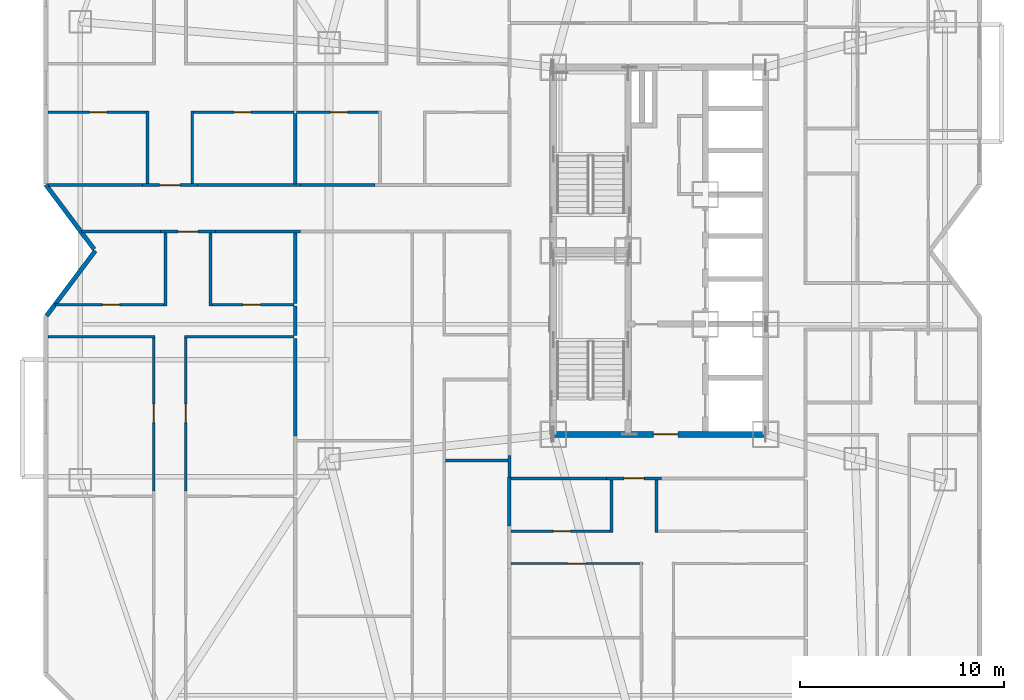
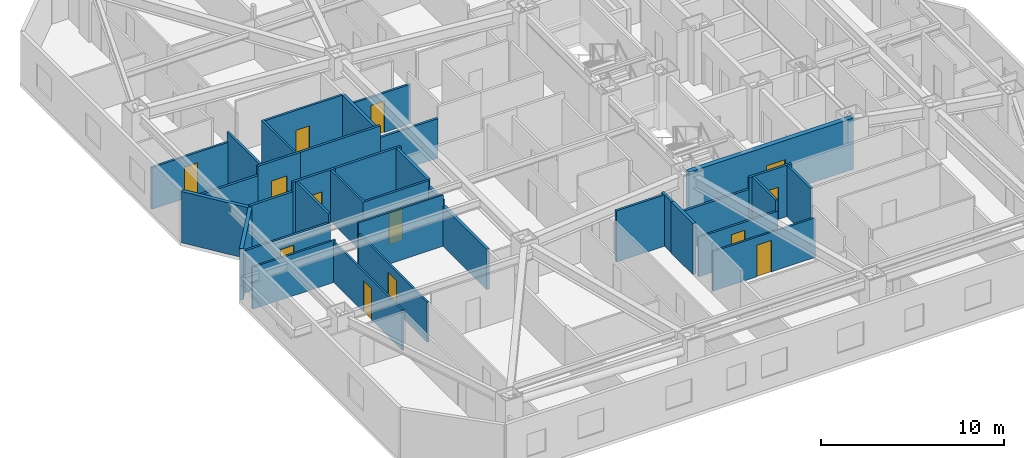
# One storey, part 7 of 13: 36 walls, 13 doors, 13 openings.
"""IFC4 building model written with IfcOpenShell, lengths in metres."""

from ifc_helpers import new_model, si_unit, direction, frame, frame_2d, origin, place, context, subcontext, project, spatial, rectangle, extrude, material, layer, layer_set, type_object, element, fill, save


model = new_model("IFC4")

# Units and contexts
model_context = context("Model", 3, precision=1e-05, world=origin(), true_north=direction((0.0, 1.0)))
body_context = subcontext(model_context, "Body", "Model", "MODEL_VIEW")
ifc_project = project(units=[si_unit("LENGTHUNIT", "METRE"), si_unit("AREAUNIT", "SQUARE_METRE"), si_unit("VOLUMEUNIT", "CUBIC_METRE"), si_unit("PLANEANGLEUNIT", "RADIAN"), si_unit("MASSUNIT", "GRAM", prefix="KILO")], contexts=[model_context])

# Site, building, storey
site_placement = place(None, origin())
site = spatial("IfcSite", under=ifc_project, at=site_placement, CompositionType="ELEMENT")
building_placement = place(site_placement, origin())
building = spatial("IfcBuilding", under=site, at=building_placement, Name="Khamvora Tower", CompositionType="ELEMENT")
storey_placement = place(building_placement, frame((0.0, 0.0, 62.5)))
storey = spatial("IfcBuildingStorey", under=building, at=storey_placement, Name="L15", CompositionType="ELEMENT", Elevation=62.5)

# Wall, opening, door
ifc_material_1 = material(Name="Concrete C50/60", Category="concrete")
ifc_layer_1 = layer(ifc_material_1, 0.300048828125)
ifc_layer_set_1 = layer_set([ifc_layer_1], Name="Concrete C50/60")
wall_type_1 = type_object("IfcWallType", Name="WAL-CORE-300", PredefinedType="SHEAR", material=ifc_layer_set_1)
wall_1_placement = place(storey_placement, frame((29.0, 19.0, 0.0), z_axis=(0.0, 0.0, 1.0), x_axis=(1.0, 0.0, 0.0)))
wall_1 = element("IfcWall", 1, at=wall_1_placement, inside=storey, type_object=wall_type_1, Name="L15 central core south wall", PredefinedType="SHEAR", context=body_context, shape_type="SweptSolid", body=[
    extrude(rectangle(XDim=10.39990234375, YDim=0.300048828125, at=frame_2d((5.199951171875, 0.0))), origin(), (0.0, 0.0, 1.0), 3.429931640625),
])
opening_1_placement = place(wall_1_placement, frame((4.89990234375, 0.0, 0.0)))
opening_1 = element("IfcOpeningElement", 2, at=opening_1_placement, cuts=wall_1, Name="Opening D-CR1", PredefinedType="OPENING", context=body_context, shape_type="SweptSolid", body=[
    extrude(rectangle(XDim=1.199951171875, YDim=2.14990234375, at=frame_2d((0.60009765625, 1.074951171875))), frame((0.0, 0.159912109375, 0.0), z_axis=(0.0, -1.0, 0.0), x_axis=(1.0, 0.0, 0.0)), (0.0, 0.0, 1.0), 0.320068359375),
])
ifc_material_2 = material(Name="Powder-Coated Steel and Hardwood Leaf", Category="steel")
door_type_1 = type_object("IfcDoorType", Name="DOR-CORR-1200", OperationType="NOTDEFINED", PredefinedType="DOOR", material=ifc_material_2)
door_1_placement = place(opening_1_placement, origin())
door_1 = element("IfcDoor", 3, at=door_1_placement, inside=storey, type_object=door_type_1, Name="L15 south core lobby to corridor fire door", OperationType="SINGLE_SWING_LEFT", OverallHeight=2.14990234375, OverallWidth=1.199951171875, PredefinedType="DOOR", context=body_context, shape_type="SweptSolid", body=[
    extrude(rectangle(XDim=1.199951171875, YDim=2.14990234375, at=frame_2d((0.60009765625, 1.074951171875))), frame((0.0, 0.02490234375, 0.0), z_axis=(0.0, -1.0, 0.0), x_axis=(1.0, 0.0, 0.0)), (0.0, 0.0, 1.0), 0.050048828125),
])
fill(opening_1, door_1)

ifc_material_3 = material(Name="Fire-Rated Drywall and Steel Stud", Category="steel")
ifc_layer_2 = layer(ifc_material_3, 0.14990234375)
ifc_layer_set_2 = layer_set([ifc_layer_2], Name="Fire-Rated Drywall and Steel Stud")
wall_type_2 = type_object("IfcWallType", Name="WAL-CORR-150", PredefinedType="STANDARD", material=ifc_layer_set_2)
wall_2_placement = place(storey_placement, frame((12.431884765625, 28.93505859375, 0.0), z_axis=(0.0, 0.0, 1.0), x_axis=(-1.0, 0.0, 0.0)))
wall_2 = element("IfcWall", 4, at=wall_2_placement, inside=storey, type_object=wall_type_2, Name="L15 interior partition wall 005", PredefinedType="STANDARD", context=body_context, shape_type="SweptSolid", body=[
    extrude(rectangle(XDim=2.697998046875, YDim=0.14990234375, at=frame_2d((1.34912109375, 0.0))), origin(), (0.0, 0.0, 1.0), 3.429931640625),
])
opening_2_placement = place(wall_2_placement, frame((0.84912109375, 0.0, 0.0)))
opening_2 = element("IfcOpeningElement", 5, at=opening_2_placement, cuts=wall_2, Name="Opening D-U1", PredefinedType="OPENING", context=body_context, shape_type="SweptSolid", body=[
    extrude(rectangle(XDim=1.0, YDim=2.14990234375, at=frame_2d((0.5, 1.074951171875))), frame((0.0, 0.0849609375, 0.0), z_axis=(0.0, -1.0, 0.0), x_axis=(1.0, 0.0, 0.0)), (0.0, 0.0, 1.0), 0.169921875),
])
door_type_2 = type_object("IfcDoorType", Name="DOR-UNIT-1000", OperationType="NOTDEFINED", PredefinedType="DOOR", material=ifc_material_2)
door_2_placement = place(opening_2_placement, origin())
door_2 = element("IfcDoor", 6, at=door_2_placement, inside=storey, type_object=door_type_2, Name="L15 interior door COR-15WA1H", OperationType="SINGLE_SWING_LEFT", OverallHeight=2.14990234375, OverallWidth=1.0, PredefinedType="DOOR", context=body_context, shape_type="SweptSolid", body=[
    extrude(rectangle(XDim=1.0, YDim=2.14990234375, at=frame_2d((0.5, 1.074951171875))), frame((0.0, 0.02490234375, 0.0), z_axis=(0.0, -1.0, 0.0), x_axis=(1.0, 0.0, 0.0)), (0.0, 0.0, 1.0), 0.050048828125),
])
fill(opening_2, door_2)

# Walls
wall_3_placement = place(storey_placement, frame((16.595947265625, 28.93505859375, 0.0), z_axis=(0.0, 0.0, 1.0), x_axis=(-1.0, 0.0, 0.0)))
element("IfcWall", 7, at=wall_3_placement, inside=storey, type_object=wall_type_2, Name="L15 interior partition wall 006", PredefinedType="STANDARD", context=body_context, shape_type="SweptSolid", body=[
    extrude(rectangle(XDim=4.1640625, YDim=0.14990234375, at=frame_2d((2.08203125, 0.0))), origin(), (0.0, 0.0, 1.0), 3.429931640625),
])
wall_4_placement = place(storey_placement, frame((9.73388671875, 28.93505859375, 0.0), z_axis=(0.0, 0.0, 1.0), x_axis=(-1.0, 0.0, 0.0)))
element("IfcWall", 8, at=wall_4_placement, inside=storey, type_object=wall_type_2, Name="L15 interior partition wall 007", PredefinedType="STANDARD", context=body_context, shape_type="SweptSolid", body=[
    extrude(rectangle(XDim=3.884765625, YDim=0.14990234375, at=frame_2d((1.9423828125, 0.0))), origin(), (0.0, 0.0, 1.0), 2.802978515625),
])
wall_5_placement = place(storey_placement, frame((26.8349609375, 16.89990234375, 0.0), z_axis=(0.0, 0.0, 1.0), x_axis=(0.0, 1.0, 0.0)))
element("IfcWall", 9, at=wall_5_placement, inside=storey, type_object=wall_type_2, Name="L15 interior partition wall 008", PredefinedType="STANDARD", context=body_context, shape_type="SweptSolid", body=[
    extrude(rectangle(XDim=1.068115234375, YDim=0.14990234375, at=frame_2d((0.5341796875, 0.0))), origin(), (0.0, 0.0, 1.0), 3.429931640625),
])

# Wall, opening, door
wall_6_placement = place(storey_placement, frame((8.846923828125, 31.215087890625, 0.0), z_axis=(0.0, 0.0, 1.0), x_axis=(1.0, 0.0, 0.0)))
wall_6 = element("IfcWall", 10, at=wall_6_placement, inside=storey, type_object=wall_type_2, Name="L15 interior partition wall 015", PredefinedType="STANDARD", context=body_context, shape_type="SweptSolid", body=[
    extrude(rectangle(XDim=2.697998046875, YDim=0.14990234375, at=frame_2d((1.34912109375, 0.0))), origin(), (0.0, 0.0, 1.0), 3.429931640625),
])
opening_3_placement = place(wall_6_placement, frame((0.84912109375, 0.0, 0.0)))
opening_3 = element("IfcOpeningElement", 11, at=opening_3_placement, cuts=wall_6, Name="Opening D-U1", PredefinedType="OPENING", context=body_context, shape_type="SweptSolid", body=[
    extrude(rectangle(XDim=1.0, YDim=2.14990234375, at=frame_2d((0.5, 1.074951171875))), frame((0.0, 0.0849609375, 0.0), z_axis=(0.0, -1.0, 0.0), x_axis=(1.0, 0.0, 0.0)), (0.0, 0.0, 1.0), 0.169921875),
])
door_3_placement = place(opening_3_placement, origin())
door_3 = element("IfcDoor", 12, at=door_3_placement, inside=storey, type_object=door_type_2, Name="L15 interior door COR-15WB1H", OperationType="SINGLE_SWING_LEFT", OverallHeight=2.14990234375, OverallWidth=1.0, PredefinedType="DOOR", context=body_context, shape_type="SweptSolid", body=[
    extrude(rectangle(XDim=1.0, YDim=2.14990234375, at=frame_2d((0.5, 1.074951171875))), frame((0.0, 0.02490234375, 0.0), z_axis=(0.0, -1.0, 0.0), x_axis=(1.0, 0.0, 0.0)), (0.0, 0.0, 1.0), 0.050048828125),
])
fill(opening_3, door_3)

# Walls
wall_7_placement = place(storey_placement, frame((4.238037109375, 31.215087890625, 0.0), z_axis=(0.0, 0.0, 1.0), x_axis=(1.0, 0.0, 0.0)))
element("IfcWall", 13, at=wall_7_placement, inside=storey, type_object=wall_type_2, Name="L15 interior partition wall 016", PredefinedType="STANDARD", context=body_context, shape_type="SweptSolid", body=[
    extrude(rectangle(XDim=4.60888671875, YDim=0.14990234375, at=frame_2d((2.304443359375, 0.0))), origin(), (0.0, 0.0, 1.0), 2.802978515625),
])
wall_8_placement = place(storey_placement, frame((11.544921875, 31.215087890625, 0.0), z_axis=(0.0, 0.0, 1.0), x_axis=(1.0, 0.0, 0.0)))
element("IfcWall", 14, at=wall_8_placement, inside=storey, type_object=wall_type_2, Name="L15 interior partition wall 017", PredefinedType="STANDARD", context=body_context, shape_type="SweptSolid", body=[
    extrude(rectangle(XDim=5.051025390625, YDim=0.14990234375, at=frame_2d((2.525390625, 0.0))), origin(), (0.0, 0.0, 1.0), 3.429931640625),
])
wall_9_placement = place(storey_placement, frame((16.595947265625, 31.215087890625, 0.0), z_axis=(0.0, 0.0, 1.0), x_axis=(1.0, 0.0, 0.0)))
element("IfcWall", 15, at=wall_9_placement, inside=storey, type_object=wall_type_2, Name="L15 interior partition wall 020", PredefinedType="STANDARD", context=body_context, shape_type="SweptSolid", body=[
    extrude(rectangle(XDim=3.64599609375, YDim=0.14990234375, at=frame_2d((1.822998046875, 0.0))), origin(), (0.0, 0.0, 1.0), 2.64697265625),
])

# Wall, opening, door
wall_10_placement = place(storey_placement, frame((34.299072265625, 16.8349609375, 0.0), z_axis=(0.0, 0.0, 1.0), x_axis=(-1.0, 0.0, 0.0)))
wall_10 = element("IfcWall", 16, at=wall_10_placement, inside=storey, type_object=wall_type_2, Name="L15 interior partition wall 024", PredefinedType="STANDARD", context=body_context, shape_type="SweptSolid", body=[
    extrude(rectangle(XDim=2.697998046875, YDim=0.14990234375, at=frame_2d((1.34912109375, 0.0))), origin(), (0.0, 0.0, 1.0), 3.429931640625),
])
opening_4_placement = place(wall_10_placement, frame((0.84912109375, 0.0, 0.0)))
opening_4 = element("IfcOpeningElement", 17, at=opening_4_placement, cuts=wall_10, Name="Opening D-U1", PredefinedType="OPENING", context=body_context, shape_type="SweptSolid", body=[
    extrude(rectangle(XDim=1.0, YDim=2.14990234375, at=frame_2d((0.5, 1.074951171875))), frame((0.0, 0.0849609375, 0.0), z_axis=(0.0, -1.0, 0.0), x_axis=(1.0, 0.0, 0.0)), (0.0, 0.0, 1.0), 0.169921875),
])
door_4_placement = place(opening_4_placement, origin())
door_4 = element("IfcDoor", 18, at=door_4_placement, inside=storey, type_object=door_type_2, Name="L15 interior door COR-15SAH", OperationType="SINGLE_SWING_LEFT", OverallHeight=2.14990234375, OverallWidth=1.0, PredefinedType="DOOR", context=body_context, shape_type="SweptSolid", body=[
    extrude(rectangle(XDim=1.0, YDim=2.14990234375, at=frame_2d((0.5, 1.074951171875))), frame((0.0, 0.02490234375, 0.0), z_axis=(0.0, -1.0, 0.0), x_axis=(1.0, 0.0, 0.0)), (0.0, 0.0, 1.0), 0.050048828125),
])
fill(opening_4, door_4)

# Walls
wall_11_placement = place(storey_placement, frame((31.60107421875, 16.8349609375, 0.0), z_axis=(0.0, 0.0, 1.0), x_axis=(-1.0, 0.0, 0.0)))
element("IfcWall", 19, at=wall_11_placement, inside=storey, type_object=wall_type_2, Name="L15 interior partition wall 025", PredefinedType="STANDARD", context=body_context, shape_type="SweptSolid", body=[
    extrude(rectangle(XDim=4.701171875, YDim=0.14990234375, at=frame_2d((2.3505859375, 0.0))), origin(), (0.0, 0.0, 1.0), 2.64697265625),
])
ifc_material_4 = material(Name="Acoustic Double-Stud Fire Wall", Category="gypsum")
ifc_layer_3 = layer(ifc_material_4, 0.179931640625)
ifc_layer_set_3 = layer_set([ifc_layer_3], Name="Acoustic Double-Stud Fire Wall")
wall_type_3 = type_object("IfcWallType", Name="WAL-CORR-180", PredefinedType="STANDARD", material=ifc_layer_set_3)
wall_12_placement = place(storey_placement, frame((16.345947265625, 25.2900390625, 0.0), z_axis=(0.0, 0.0, 1.0), x_axis=(0.0, -1.0, 0.0)))
element("IfcWall", 20, at=wall_12_placement, inside=storey, type_object=wall_type_3, Name="L15 interior partition wall 057", PredefinedType="STANDARD", context=body_context, shape_type="SweptSolid", body=[
    extrude(rectangle(XDim=1.449951171875, YDim=0.179931640625, at=frame_2d((0.72509765625, 0.0))), origin(), (0.0, 0.0, 1.0), 3.012939453125),
])
wall_13_placement = place(storey_placement, frame((16.345947265625, 28.867919921875, 0.0), z_axis=(0.0, 0.0, 1.0), x_axis=(0.0, -1.0, 0.0)))
element("IfcWall", 21, at=wall_13_placement, inside=storey, type_object=wall_type_3, Name="L15 interior partition wall 058", PredefinedType="STANDARD", context=body_context, shape_type="SweptSolid", body=[
    extrude(rectangle(XDim=3.447998046875, YDim=0.179931640625, at=frame_2d((1.72412109375, 0.0))), origin(), (0.0, 0.0, 1.0), 3.429931640625),
])
wall_14_placement = place(storey_placement, frame((16.345947265625, 23.7099609375, 0.0), z_axis=(0.0, 0.0, 1.0), x_axis=(0.0, -1.0, 0.0)))
element("IfcWall", 22, at=wall_14_placement, inside=storey, type_object=wall_type_3, Name="L15 interior partition wall 064", PredefinedType="STANDARD", context=body_context, shape_type="SweptSolid", body=[
    extrude(rectangle(XDim=4.782958984375, YDim=0.179931640625, at=frame_2d((2.3916015625, 0.0))), origin(), (0.0, 0.0, 1.0), 2.68701171875),
])
wall_15_placement = place(storey_placement, frame((26.8349609375, 16.89990234375, 0.0), z_axis=(0.0, 0.0, 1.0), x_axis=(0.0, -1.0, 0.0)))
element("IfcWall", 23, at=wall_15_placement, inside=storey, type_object=wall_type_3, Name="L15 interior partition wall 068", PredefinedType="STANDARD", context=body_context, shape_type="SweptSolid", body=[
    extrude(rectangle(XDim=2.40478515625, YDim=0.179931640625, at=frame_2d((1.202392578125, 0.0))), origin(), (0.0, 0.0, 1.0), 3.429931640625),
])
wall_16_placement = place(storey_placement, frame((16.345947265625, 34.72998046875, 0.0), z_axis=(0.0, 0.0, 1.0), x_axis=(0.0, -1.0, 0.0)))
element("IfcWall", 24, at=wall_16_placement, inside=storey, type_object=wall_type_3, Name="L15 interior partition wall 091", PredefinedType="STANDARD", context=body_context, shape_type="SweptSolid", body=[
    extrude(rectangle(XDim=3.449951171875, YDim=0.179931640625, at=frame_2d((1.72509765625, 0.0))), origin(), (0.0, 0.0, 1.0), 3.429931640625),
])
ifc_material_5 = material(Name="Precast concrete C40/50", Category="concrete")
ifc_layer_4 = layer(ifc_material_5, 0.219970703125)
ifc_layer_set_4 = layer_set([ifc_layer_4], Name="Precast concrete C40/50")
wall_type_4 = type_object("IfcWallType", Name="WAL-EXT-220", PredefinedType="STANDARD", material=ifc_layer_set_4)
wall_17_placement = place(storey_placement, frame((4.14501953125, 24.80908203125, 0.0), z_axis=(0.0, 0.0, 1.0), x_axis=(0.599823674734, 0.800132213592, 0.0)))
element("IfcWall", 25, at=wall_17_placement, inside=storey, type_object=wall_type_4, Name="L15 exterior facade wall 03.1", PredefinedType="STANDARD", context=body_context, shape_type="SweptSolid", body=[
    extrude(rectangle(XDim=3.988037109375, YDim=0.219970703125, at=frame_2d((1.994140625, 0.0))), origin(), (0.0, 0.0, 1.0), 3.429931640625),
])
wall_18_placement = place(storey_placement, frame((6.47998046875, 28.076904296875, 0.0), z_axis=(0.0, 0.0, 1.0), x_axis=(-0.599960442794, 0.800029666377, 0.0)))
element("IfcWall", 26, at=wall_18_placement, inside=storey, type_object=wall_type_4, Name="L15 exterior facade wall 04.1", PredefinedType="STANDARD", context=body_context, shape_type="SweptSolid", body=[
    extrude(rectangle(XDim=3.949951171875, YDim=0.219970703125, at=frame_2d((1.97509765625, 0.0))), origin(), (0.0, 0.0, 1.0), 3.429931640625),
])

# Wall, opening, door
ifc_material_6 = material(Name="Gypsum Plasterboard Partition", Category="gypsum")
ifc_layer_5 = layer(ifc_material_6, 0.1201171875)
ifc_layer_set_5 = layer_set([ifc_layer_5], Name="Gypsum Plasterboard Partition")
wall_type_5 = type_object("IfcWallType", Name="WAL-PART-120", PredefinedType="PARTITIONING", material=ifc_layer_set_5)
wall_19_placement = place(storey_placement, frame((9.410888671875, 16.215087890625, 0.0), z_axis=(0.0, 0.0, 1.0), x_axis=(0.0, 1.0, 0.0)))
wall_19 = element("IfcWall", 27, at=wall_19_placement, inside=storey, type_object=wall_type_5, Name="L15 interior partition wall 052", PredefinedType="PARTITIONING", context=body_context, shape_type="SweptSolid", body=[
    extrude(rectangle(XDim=7.625, YDim=0.1201171875, at=frame_2d((3.8125, 0.0))), origin(), (0.0, 0.0, 1.0), 2.68701171875),
])
opening_5_placement = place(wall_19_placement, frame((3.362060546875, 0.0, 0.0)))
opening_5 = element("IfcOpeningElement", 28, at=opening_5_placement, cuts=wall_19, Name="Opening D-RM1", PredefinedType="OPENING", context=body_context, shape_type="SweptSolid", body=[
    extrude(rectangle(XDim=0.89990234375, YDim=2.10009765625, at=frame_2d((0.449951171875, 1.050048828125))), frame((0.0, 0.070068359375, 0.0), z_axis=(0.0, -1.0, 0.0), x_axis=(1.0, 0.0, 0.0)), (0.0, 0.0, 1.0), 0.14013671875),
])
door_type_3 = type_object("IfcDoorType", Name="DOR-ROOM-900", OperationType="NOTDEFINED", PredefinedType="DOOR", material=ifc_material_2)
door_5_placement = place(opening_5_placement, origin())
door_5 = element("IfcDoor", 29, at=door_5_placement, inside=storey, type_object=door_type_3, Name="L15 interior door 15WA1H-15WA1R2", OperationType="SINGLE_SWING_RIGHT", OverallHeight=2.10009765625, OverallWidth=0.89990234375, PredefinedType="DOOR", context=body_context, shape_type="SweptSolid", body=[
    extrude(rectangle(XDim=0.89990234375, YDim=2.10009765625, at=frame_2d((0.449951171875, 1.050048828125))), frame((0.0, 0.02490234375, 0.0), z_axis=(0.0, -1.0, 0.0), x_axis=(1.0, 0.0, 0.0)), (0.0, 0.0, 1.0), 0.050048828125),
])
fill(opening_5, door_5)

# Walls
wall_20_placement = place(storey_placement, frame((9.47607421875, 23.77490234375, 0.0), z_axis=(0.0, 0.0, 1.0), x_axis=(-1.0, 0.0, 0.0)))
element("IfcWall", 30, at=wall_20_placement, inside=storey, type_object=wall_type_5, Name="L15 interior partition wall 053", PredefinedType="PARTITIONING", context=body_context, shape_type="SweptSolid", body=[
    extrude(rectangle(XDim=5.26416015625, YDim=0.1201171875, at=frame_2d((2.632080078125, 0.0))), origin(), (0.0, 0.0, 1.0), 2.802978515625),
])
wall_21_placement = place(storey_placement, frame((16.281005859375, 23.77490234375, 0.0), z_axis=(0.0, 0.0, 1.0), x_axis=(-1.0, 0.0, 0.0)))
element("IfcWall", 31, at=wall_21_placement, inside=storey, type_object=wall_type_5, Name="L15 interior partition wall 055", PredefinedType="PARTITIONING", context=body_context, shape_type="SweptSolid", body=[
    extrude(rectangle(XDim=5.364990234375, YDim=0.1201171875, at=frame_2d((2.6826171875, 0.0))), origin(), (0.0, 0.0, 1.0), 3.429931640625),
])

# Wall, opening, door
wall_22_placement = place(storey_placement, frame((10.98095703125, 23.840087890625, 0.0), z_axis=(0.0, 0.0, 1.0), x_axis=(0.0, -1.0, 0.0)))
wall_22 = element("IfcWall", 32, at=wall_22_placement, inside=storey, type_object=wall_type_5, Name="L15 interior partition wall 056", PredefinedType="PARTITIONING", context=body_context, shape_type="SweptSolid", body=[
    extrude(rectangle(XDim=7.625, YDim=0.1201171875, at=frame_2d((3.8125, 0.0))), origin(), (0.0, 0.0, 1.0), 2.68701171875),
])
opening_6_placement = place(wall_22_placement, frame((3.362060546875, 0.0, 0.0)))
opening_6 = element("IfcOpeningElement", 33, at=opening_6_placement, cuts=wall_22, Name="Opening D-RM1", PredefinedType="OPENING", context=body_context, shape_type="SweptSolid", body=[
    extrude(rectangle(XDim=0.89990234375, YDim=2.10009765625, at=frame_2d((0.449951171875, 1.050048828125))), frame((0.0, 0.070068359375, 0.0), z_axis=(0.0, -1.0, 0.0), x_axis=(1.0, 0.0, 0.0)), (0.0, 0.0, 1.0), 0.14013671875),
])
door_6_placement = place(opening_6_placement, origin())
door_6 = element("IfcDoor", 34, at=door_6_placement, inside=storey, type_object=door_type_3, Name="L15 interior door 15WA1H-15WA1R4", OperationType="SINGLE_SWING_RIGHT", OverallHeight=2.10009765625, OverallWidth=0.89990234375, PredefinedType="DOOR", context=body_context, shape_type="SweptSolid", body=[
    extrude(rectangle(XDim=0.89990234375, YDim=2.10009765625, at=frame_2d((0.449951171875, 1.050048828125))), frame((0.0, 0.02490234375, 0.0), z_axis=(0.0, -1.0, 0.0), x_axis=(1.0, 0.0, 0.0)), (0.0, 0.0, 1.0), 0.050048828125),
])
fill(opening_6, door_6)

wall_23_placement = place(storey_placement, frame((33.3798828125, 12.666015625, 0.0), z_axis=(0.0, 0.0, 1.0), x_axis=(-1.0, 0.0, 0.0)))
wall_23 = element("IfcWall", 35, at=wall_23_placement, inside=storey, type_object=wall_type_5, Name="L15 interior partition wall 115", PredefinedType="PARTITIONING", context=body_context, shape_type="SweptSolid", body=[
    extrude(rectangle(XDim=6.462890625, YDim=0.1201171875, at=frame_2d((3.2314453125, 0.0))), origin(), (0.0, 0.0, 1.0), 2.64697265625),
])
opening_7_placement = place(wall_23_placement, frame((2.781005859375, 0.0, 0.0)))
opening_7 = element("IfcOpeningElement", 36, at=opening_7_placement, cuts=wall_23, Name="Opening D-RM1", PredefinedType="OPENING", context=body_context, shape_type="SweptSolid", body=[
    extrude(rectangle(XDim=0.89990234375, YDim=2.10009765625, at=frame_2d((0.449951171875, 1.050048828125))), frame((0.0, 0.070068359375, 0.0), z_axis=(0.0, -1.0, 0.0), x_axis=(1.0, 0.0, 0.0)), (0.0, 0.0, 1.0), 0.14013671875),
])
door_7_placement = place(opening_7_placement, origin())
door_7 = element("IfcDoor", 37, at=door_7_placement, inside=storey, type_object=door_type_3, Name="L15 interior door 15SAH-15SAR2", OperationType="SINGLE_SWING_RIGHT", OverallHeight=2.10009765625, OverallWidth=0.89990234375, PredefinedType="DOOR", context=body_context, shape_type="SweptSolid", body=[
    extrude(rectangle(XDim=0.89990234375, YDim=2.10009765625, at=frame_2d((0.449951171875, 1.050048828125))), frame((0.0, 0.02490234375, 0.0), z_axis=(0.0, -1.0, 0.0), x_axis=(1.0, 0.0, 0.0)), (0.0, 0.0, 1.0), 0.050048828125),
])
fill(opening_7, door_7)

# Wall
ifc_material_7 = material(Name="Moisture-Resistant Plasterboard Partition", Category="gypsum")
ifc_layer_6 = layer(ifc_material_7, 0.135009765625)
ifc_layer_set_6 = layer_set([ifc_layer_6], Name="Moisture-Resistant Plasterboard Partition")
wall_type_6 = type_object("IfcWallType", Name="WAL-WET-135", PredefinedType="PARTITIONING", material=ifc_layer_set_6)
wall_24_placement = place(storey_placement, frame((12.18310546875, 28.867919921875, 0.0), z_axis=(0.0, 0.0, 1.0), x_axis=(0.0, -1.0, 0.0)))
element("IfcWall", 38, at=wall_24_placement, inside=storey, type_object=wall_type_6, Name="L15 interior partition wall 047", PredefinedType="PARTITIONING", context=body_context, shape_type="SweptSolid", body=[
    extrude(rectangle(XDim=3.577880859375, YDim=0.135009765625, at=frame_2d((1.7890625, 0.0))), origin(), (0.0, 0.0, 1.0), 3.429931640625),
])

# Wall, opening, door
wall_25_placement = place(storey_placement, frame((12.117919921875, 25.35498046875, 0.0), z_axis=(0.0, 0.0, 1.0), x_axis=(1.0, 0.0, 0.0)))
wall_25 = element("IfcWall", 39, at=wall_25_placement, inside=storey, type_object=wall_type_6, Name="L15 interior partition wall 048", PredefinedType="PARTITIONING", context=body_context, shape_type="SweptSolid", body=[
    extrude(rectangle(XDim=4.1630859375, YDim=0.135009765625, at=frame_2d((2.08154296875, 0.0))), origin(), (0.0, 0.0, 1.0), 3.429931640625),
])
opening_8_placement = place(wall_25_placement, frame((1.656982421875, 0.0, 0.0)))
opening_8 = element("IfcOpeningElement", 40, at=opening_8_placement, cuts=wall_25, Name="Opening D-WC1", PredefinedType="OPENING", context=body_context, shape_type="SweptSolid", body=[
    extrude(rectangle(XDim=0.85009765625, YDim=2.10009765625, at=frame_2d((0.425048828125, 1.050048828125))), frame((0.0, 0.077392578125, 0.0), z_axis=(0.0, -1.0, 0.0), x_axis=(1.0, 0.0, 0.0)), (0.0, 0.0, 1.0), 0.155029296875),
])
door_type_4 = type_object("IfcDoorType", Name="DOR-WET-850", OperationType="NOTDEFINED", PredefinedType="DOOR", material=ifc_material_2)
door_8_placement = place(opening_8_placement, origin())
door_8 = element("IfcDoor", 41, at=door_8_placement, inside=storey, type_object=door_type_4, Name="L15 interior door 15WA1H-15WA1B", OperationType="SINGLE_SWING_LEFT", OverallHeight=2.10009765625, OverallWidth=0.85009765625, PredefinedType="DOOR", context=body_context, shape_type="SweptSolid", body=[
    extrude(rectangle(XDim=0.85009765625, YDim=2.10009765625, at=frame_2d((0.425048828125, 1.050048828125))), frame((0.0, 0.02490234375, 0.0), z_axis=(0.0, -1.0, 0.0), x_axis=(1.0, 0.0, 0.0)), (0.0, 0.0, 1.0), 0.050048828125),
])
fill(opening_8, door_8)

wall_26_placement = place(storey_placement, frame((4.568115234375, 25.35498046875, 0.0), z_axis=(0.0, 0.0, 1.0), x_axis=(1.0, 0.0, 0.0)))
wall_26 = element("IfcWall", 42, at=wall_26_placement, inside=storey, type_object=wall_type_6, Name="L15 interior partition wall 049", PredefinedType="PARTITIONING", context=body_context, shape_type="SweptSolid", body=[
    extrude(rectangle(XDim=5.47998046875, YDim=0.135009765625, at=frame_2d((2.739990234375, 0.0))), origin(), (0.0, 0.0, 1.0), 2.802978515625),
])
opening_9_placement = place(wall_26_placement, frame((2.31494140625, 0.0, 0.0)))
opening_9 = element("IfcOpeningElement", 43, at=opening_9_placement, cuts=wall_26, Name="Opening D-RM2", PredefinedType="OPENING", context=body_context, shape_type="SweptSolid", body=[
    extrude(rectangle(XDim=0.85009765625, YDim=2.10009765625, at=frame_2d((0.425048828125, 1.050048828125))), frame((0.0, 0.077392578125, 0.0), z_axis=(0.0, -1.0, 0.0), x_axis=(1.0, 0.0, 0.0)), (0.0, 0.0, 1.0), 0.155029296875),
])
door_type_5 = type_object("IfcDoorType", Name="DOR-ROOM-850", OperationType="NOTDEFINED", PredefinedType="DOOR", material=ifc_material_2)
door_9_placement = place(opening_9_placement, origin())
door_9 = element("IfcDoor", 44, at=door_9_placement, inside=storey, type_object=door_type_5, Name="L15 interior door 15WA1H-15WA1K", OperationType="SINGLE_SWING_RIGHT", OverallHeight=2.10009765625, OverallWidth=0.85009765625, PredefinedType="DOOR", context=body_context, shape_type="SweptSolid", body=[
    extrude(rectangle(XDim=0.85009765625, YDim=2.10009765625, at=frame_2d((0.425048828125, 1.050048828125))), frame((0.0, 0.02490234375, 0.0), z_axis=(0.0, -1.0, 0.0), x_axis=(1.0, 0.0, 0.0)), (0.0, 0.0, 1.0), 0.050048828125),
])
fill(opening_9, door_9)

# Walls
wall_27_placement = place(storey_placement, frame((9.98291015625, 25.2900390625, 0.0), z_axis=(0.0, 0.0, 1.0), x_axis=(0.0, 1.0, 0.0)))
element("IfcWall", 45, at=wall_27_placement, inside=storey, type_object=wall_type_6, Name="L15 interior partition wall 050", PredefinedType="PARTITIONING", context=body_context, shape_type="SweptSolid", body=[
    extrude(rectangle(XDim=3.577880859375, YDim=0.135009765625, at=frame_2d((1.7890625, 0.0))), origin(), (0.0, 0.0, 1.0), 3.429931640625),
])
wall_28_placement = place(storey_placement, frame((23.715087890625, 17.718994140625, 0.0), z_axis=(0.0, 0.0, 1.0), x_axis=(1.0, 0.0, 0.0)))
element("IfcWall", 46, at=wall_28_placement, inside=storey, type_object=wall_type_6, Name="L15 interior partition wall 066", PredefinedType="PARTITIONING", context=body_context, shape_type="SweptSolid", body=[
    extrude(rectangle(XDim=3.054931640625, YDim=0.135009765625, at=frame_2d((1.52734375, 0.0))), origin(), (0.0, 0.0, 1.0), 3.429931640625),
])
wall_29_placement = place(storey_placement, frame((9.095947265625, 31.280029296875, 0.0), z_axis=(0.0, 0.0, 1.0), x_axis=(0.0, 1.0, 0.0)))
element("IfcWall", 47, at=wall_29_placement, inside=storey, type_object=wall_type_6, Name="L15 interior partition wall 080", PredefinedType="PARTITIONING", context=body_context, shape_type="SweptSolid", body=[
    extrude(rectangle(XDim=3.580078125, YDim=0.135009765625, at=frame_2d((1.7900390625, 0.0))), origin(), (0.0, 0.0, 1.0), 3.429931640625),
])

# Wall, opening, door
wall_30_placement = place(storey_placement, frame((9.160888671875, 34.794921875, 0.0), z_axis=(0.0, 0.0, 1.0), x_axis=(-1.0, 0.0, 0.0)))
wall_30 = element("IfcWall", 48, at=wall_30_placement, inside=storey, type_object=wall_type_6, Name="L15 interior partition wall 081", PredefinedType="PARTITIONING", context=body_context, shape_type="SweptSolid", body=[
    extrude(rectangle(XDim=4.948974609375, YDim=0.135009765625, at=frame_2d((2.474609375, 0.0))), origin(), (0.0, 0.0, 1.0), 2.802978515625),
])
opening_10_placement = place(wall_30_placement, frame((2.050048828125, 0.0, 0.0)))
opening_10 = element("IfcOpeningElement", 49, at=opening_10_placement, cuts=wall_30, Name="Opening D-WC1", PredefinedType="OPENING", context=body_context, shape_type="SweptSolid", body=[
    extrude(rectangle(XDim=0.85009765625, YDim=2.10009765625, at=frame_2d((0.425048828125, 1.050048828125))), frame((0.0, 0.077392578125, 0.0), z_axis=(0.0, -1.0, 0.0), x_axis=(1.0, 0.0, 0.0)), (0.0, 0.0, 1.0), 0.155029296875),
])
door_10_placement = place(opening_10_placement, origin())
door_10 = element("IfcDoor", 50, at=door_10_placement, inside=storey, type_object=door_type_4, Name="L15 interior door 15WB1H-15WB1B", OperationType="SINGLE_SWING_LEFT", OverallHeight=2.10009765625, OverallWidth=0.85009765625, PredefinedType="DOOR", context=body_context, shape_type="SweptSolid", body=[
    extrude(rectangle(XDim=0.85009765625, YDim=2.10009765625, at=frame_2d((0.425048828125, 1.050048828125))), frame((0.0, 0.02490234375, 0.0), z_axis=(0.0, -1.0, 0.0), x_axis=(1.0, 0.0, 0.0)), (0.0, 0.0, 1.0), 0.050048828125),
])
fill(opening_10, door_10)

wall_31_placement = place(storey_placement, frame((16.281005859375, 34.794921875, 0.0), z_axis=(0.0, 0.0, 1.0), x_axis=(-1.0, 0.0, 0.0)))
wall_31 = element("IfcWall", 51, at=wall_31_placement, inside=storey, type_object=wall_type_6, Name="L15 interior partition wall 082", PredefinedType="PARTITIONING", context=body_context, shape_type="SweptSolid", body=[
    extrude(rectangle(XDim=5.050048828125, YDim=0.135009765625, at=frame_2d((2.52490234375, 0.0))), origin(), (0.0, 0.0, 1.0), 3.429931640625),
])
opening_11_placement = place(wall_31_placement, frame((2.10009765625, 0.0, 0.0)))
opening_11 = element("IfcOpeningElement", 52, at=opening_11_placement, cuts=wall_31, Name="Opening D-RM2", PredefinedType="OPENING", context=body_context, shape_type="SweptSolid", body=[
    extrude(rectangle(XDim=0.85009765625, YDim=2.10009765625, at=frame_2d((0.425048828125, 1.050048828125))), frame((0.0, 0.077392578125, 0.0), z_axis=(0.0, -1.0, 0.0), x_axis=(1.0, 0.0, 0.0)), (0.0, 0.0, 1.0), 0.155029296875),
])
door_11_placement = place(opening_11_placement, origin())
door_11 = element("IfcDoor", 53, at=door_11_placement, inside=storey, type_object=door_type_5, Name="L15 interior door 15WB1H-15WB1K", OperationType="SINGLE_SWING_RIGHT", OverallHeight=2.10009765625, OverallWidth=0.85009765625, PredefinedType="DOOR", context=body_context, shape_type="SweptSolid", body=[
    extrude(rectangle(XDim=0.85009765625, YDim=2.10009765625, at=frame_2d((0.425048828125, 1.050048828125))), frame((0.0, 0.02490234375, 0.0), z_axis=(0.0, -1.0, 0.0), x_axis=(1.0, 0.0, 0.0)), (0.0, 0.0, 1.0), 0.050048828125),
])
fill(opening_11, door_11)

# Wall
wall_32_placement = place(storey_placement, frame((11.2958984375, 34.860107421875, 0.0), z_axis=(0.0, 0.0, 1.0), x_axis=(0.0, -1.0, 0.0)))
element("IfcWall", 54, at=wall_32_placement, inside=storey, type_object=wall_type_6, Name="L15 interior partition wall 083", PredefinedType="PARTITIONING", context=body_context, shape_type="SweptSolid", body=[
    extrude(rectangle(XDim=3.580078125, YDim=0.135009765625, at=frame_2d((1.7900390625, 0.0))), origin(), (0.0, 0.0, 1.0), 3.429931640625),
])

# Wall, opening, door
wall_33_placement = place(storey_placement, frame((20.555908203125, 34.794921875, 0.0), z_axis=(0.0, 0.0, 1.0), x_axis=(-1.0, 0.0, 0.0)))
wall_33 = element("IfcWall", 55, at=wall_33_placement, inside=storey, type_object=wall_type_6, Name="L15 interior partition wall 098", PredefinedType="PARTITIONING", context=body_context, shape_type="SweptSolid", body=[
    extrude(rectangle(XDim=4.14501953125, YDim=0.135009765625, at=frame_2d((2.072509765625, 0.0))), origin(), (0.0, 0.0, 1.0), 2.64697265625),
])
opening_12_placement = place(wall_33_placement, frame((1.64697265625, 0.0, 0.0)))
opening_12 = element("IfcOpeningElement", 56, at=opening_12_placement, cuts=wall_33, Name="Opening D-WC1", PredefinedType="OPENING", context=body_context, shape_type="SweptSolid", body=[
    extrude(rectangle(XDim=0.85009765625, YDim=2.10009765625, at=frame_2d((0.425048828125, 1.050048828125))), frame((0.0, 0.077392578125, 0.0), z_axis=(0.0, -1.0, 0.0), x_axis=(1.0, 0.0, 0.0)), (0.0, 0.0, 1.0), 0.155029296875),
])
door_12_placement = place(opening_12_placement, origin())
door_12 = element("IfcDoor", 57, at=door_12_placement, inside=storey, type_object=door_type_4, Name="L15 interior door 15WB2H-15WB2B", OperationType="SINGLE_SWING_LEFT", OverallHeight=2.10009765625, OverallWidth=0.85009765625, PredefinedType="DOOR", context=body_context, shape_type="SweptSolid", body=[
    extrude(rectangle(XDim=0.85009765625, YDim=2.10009765625, at=frame_2d((0.425048828125, 1.050048828125))), frame((0.0, 0.02490234375, 0.0), z_axis=(0.0, -1.0, 0.0), x_axis=(1.0, 0.0, 0.0)), (0.0, 0.0, 1.0), 0.050048828125),
])
fill(opening_12, door_12)

wall_34_placement = place(storey_placement, frame((26.9169921875, 14.24609375, 0.0), z_axis=(0.0, 0.0, 1.0), x_axis=(1.0, 0.0, 0.0)))
wall_34 = element("IfcWall", 58, at=wall_34_placement, inside=storey, type_object=wall_type_6, Name="L15 interior partition wall 109", PredefinedType="PARTITIONING", context=body_context, shape_type="SweptSolid", body=[
    extrude(rectangle(XDim=4.998046875, YDim=0.135009765625, at=frame_2d((2.4990234375, 0.0))), origin(), (0.0, 0.0, 1.0), 2.64697265625),
])
opening_13_placement = place(wall_34_placement, frame((2.073974609375, 0.0, 0.0)))
opening_13 = element("IfcOpeningElement", 59, at=opening_13_placement, cuts=wall_34, Name="Opening D-WC1", PredefinedType="OPENING", context=body_context, shape_type="SweptSolid", body=[
    extrude(rectangle(XDim=0.85009765625, YDim=2.10009765625, at=frame_2d((0.425048828125, 1.050048828125))), frame((0.0, 0.077392578125, 0.0), z_axis=(0.0, -1.0, 0.0), x_axis=(1.0, 0.0, 0.0)), (0.0, 0.0, 1.0), 0.155029296875),
])
door_13_placement = place(opening_13_placement, origin())
door_13 = element("IfcDoor", 60, at=door_13_placement, inside=storey, type_object=door_type_4, Name="L15 interior door 15SAH-15SAB", OperationType="SINGLE_SWING_LEFT", OverallHeight=2.10009765625, OverallWidth=0.85009765625, PredefinedType="DOOR", context=body_context, shape_type="SweptSolid", body=[
    extrude(rectangle(XDim=0.85009765625, YDim=2.10009765625, at=frame_2d((0.425048828125, 1.050048828125))), frame((0.0, 0.02490234375, 0.0), z_axis=(0.0, -1.0, 0.0), x_axis=(1.0, 0.0, 0.0)), (0.0, 0.0, 1.0), 0.050048828125),
])
fill(opening_13, door_13)

# Walls
for number, where, z_axis, x_axis, name in (
    (61, (31.85009765625, 14.180908203125, 0.0), (0.0, 0.0, 1.0), (0.0, 1.0, 0.0), "L15 interior partition wall 110"),
    (62, (34.050048828125, 16.77001953125, 0.0), (0.0, 0.0, 1.0), (0.0, -1.0, 0.0), "L15 interior partition wall 111"),
):
    element("IfcWall", number, at=place(storey_placement, frame(where, z_axis=z_axis, x_axis=x_axis)), inside=storey, type_object=wall_type_6, Name=name, PredefinedType="PARTITIONING", context=body_context, shape_type="SweptSolid", body=[
        extrude(rectangle(XDim=2.589111328125, YDim=0.135009765625, at=frame_2d((1.29443359375, 0.0))), origin(), (0.0, 0.0, 1.0), 3.429931640625),
    ])

save(model, "model.ifc")
